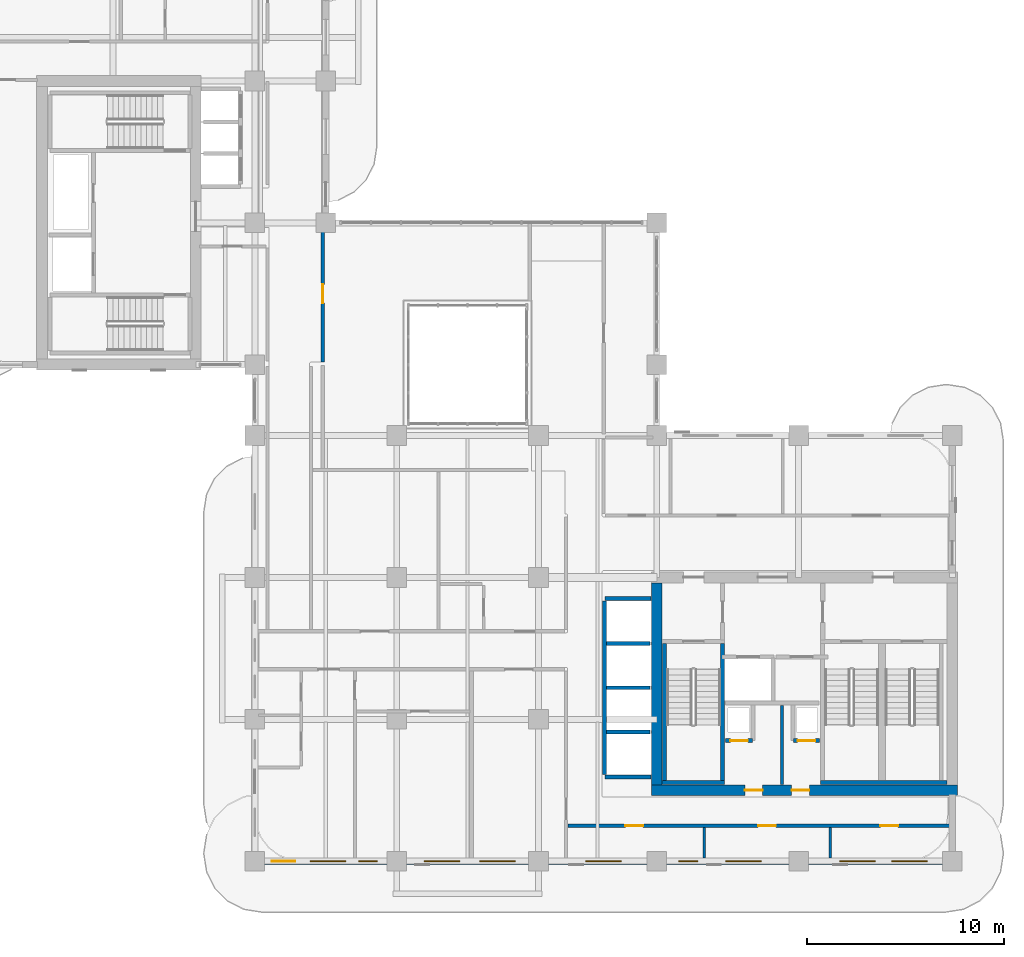
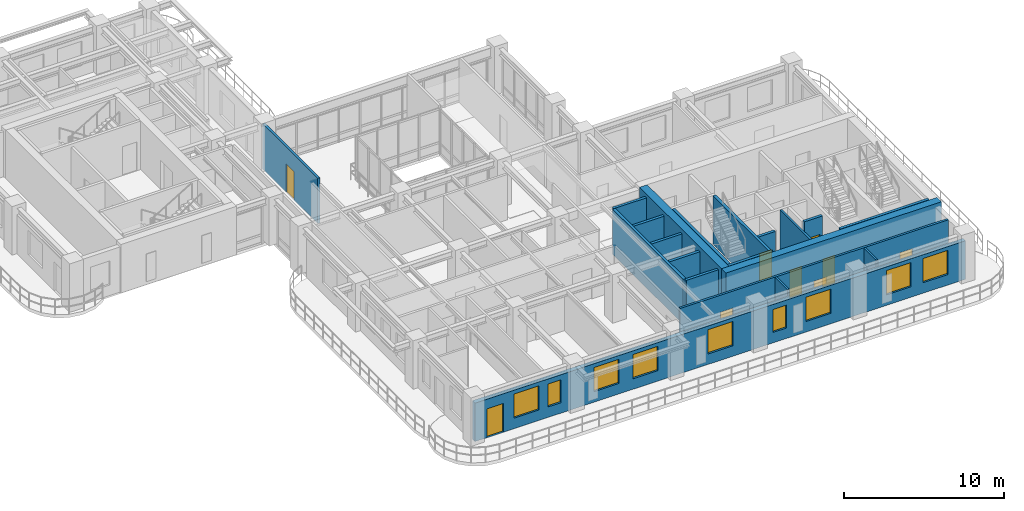
# One storey, part 12 of 20: 20 walls, 9 doors, 9 windows, 18 openings.
"""IFC4 building model written with IfcOpenShell, lengths in metres."""

from ifc_helpers import new_model, si_unit, derived_unit, direction, frame, frame_2d, origin, place, context, subcontext, project, spatial, rectangle, extrude, source, transform, mapped, material, layer, layer_set, type_object, type_shapes, element, fill, save


model = new_model("IFC4")

# Units and contexts
model_context = context("Model", 3, precision=1e-05, world=origin(), true_north=direction((0.0, 1.0)))
body_context = subcontext(model_context, "Body", "Model", "MODEL_VIEW")
ifc_project = project(units=[si_unit("LENGTHUNIT", "METRE"), si_unit("AREAUNIT", "SQUARE_METRE"), si_unit("VOLUMEUNIT", "CUBIC_METRE"), si_unit("PLANEANGLEUNIT", "RADIAN"), si_unit("MASSUNIT", "GRAM", prefix="KILO"), si_unit("THERMODYNAMICTEMPERATUREUNIT", "KELVIN"), si_unit("POWERUNIT", "WATT"), derived_unit("THERMALTRANSMITTANCEUNIT", [(si_unit("POWERUNIT", "WATT"), 1), (si_unit("AREAUNIT", "SQUARE_METRE"), -1), (si_unit("THERMODYNAMICTEMPERATUREUNIT", "KELVIN"), -1)])], contexts=[model_context])

# Site, building, storey
site_placement = place(None, origin())
site = spatial("IfcSite", under=ifc_project, at=site_placement, CompositionType="ELEMENT")
building_placement = place(site_placement, origin())
building = spatial("IfcBuilding", under=site, at=building_placement, Name="Zahravan Archway Hotel and Residences", CompositionType="ELEMENT")
storey_placement = place(building_placement, frame((0.0, 0.0, 115.5)))
storey = spatial("IfcBuildingStorey", under=building, at=storey_placement, Name="L28", CompositionType="ELEMENT", Elevation=115.5)

# Wall, openings, doors
ifc_material_1 = material(Name="Concrete C70/85", Category="concrete")
ifc_layer_1 = layer(ifc_material_1, 0.550048828125, Name="Concrete C70/85", Category="concrete")
ifc_layer_set_1 = layer_set([ifc_layer_1], Name="Concrete C70/85")
wall_type_1 = type_object("IfcWallType", Name="CW-CORE-550", PredefinedType="SHEAR", material=ifc_layer_set_1)
wall_1_placement = place(storey_placement, frame((34.52490234375, 3.60009765625, 0.0), z_axis=(0.0, 0.0, 1.0), x_axis=(1.0, 0.0, 0.0)))
wall_1 = element("IfcWall", 1, at=wall_1_placement, inside=storey, type_object=wall_type_1, Name="L28 Core A Shear S Wall 550 mm", PredefinedType="SHEAR", context=body_context, shape_type="SweptSolid", body=[
    extrude(rectangle(XDim=15.550048828125, YDim=0.550048828125, at=frame_2d((7.77490234375, 0.0))), origin(), (0.0, 0.0, 1.0), 3.699951171875),
])
opening_1_placement = place(wall_1_placement, frame((4.7451171875, 0.0, 0.0)))
opening_1 = element("IfcOpeningElement", 2, at=opening_1_placement, cuts=wall_1, Name="Opening FD-R1", PredefinedType="OPENING", context=body_context, shape_type="SweptSolid", body=[
    extrude(rectangle(XDim=0.89990234375, YDim=2.10009765625, at=frame_2d((0.449951171875, 1.050048828125))), frame((0.0, 0.28515625, 0.0), z_axis=(0.0, -1.0, 0.0), x_axis=(1.0, 0.0, 0.0)), (0.0, 0.0, 1.0), 0.570068359375),
])
opening_2_placement = place(wall_1_placement, frame((7.125, 0.0, 0.0)))
opening_2 = element("IfcOpeningElement", 3, at=opening_2_placement, cuts=wall_1, Name="Opening FD-R1", PredefinedType="OPENING", context=body_context, shape_type="SweptSolid", body=[
    extrude(rectangle(XDim=0.89990234375, YDim=2.10009765625, at=frame_2d((0.449951171875, 1.050048828125))), frame((0.0, 0.28515625, 0.0), z_axis=(0.0, -1.0, 0.0), x_axis=(1.0, 0.0, 0.0)), (0.0, 0.0, 1.0), 0.570068359375),
])
ifc_material_2 = material(Name="Fire-Rated Painted Steel", Category="steel")
door_type_1 = type_object("IfcDoorType", Name="FD-RISER-900", OperationType="NOTDEFINED", PredefinedType="DOOR", material=ifc_material_2)
shared_shape_1 = source(origin(), body_context, "Body", "SweptSolid", [
    extrude(rectangle(XDim=0.89990234375, YDim=2.10009765625, at=frame_2d((0.449951171875, 1.050048828125))), frame((0.0, 0.02490234375, 0.0), z_axis=(0.0, -1.0, 0.0), x_axis=(1.0, 0.0, 0.0)), (0.0, 0.0, 1.0), 0.050048828125),
])
type_shapes(door_type_1, [shared_shape_1])
door_1_placement = place(opening_1_placement, origin())
door_1 = element("IfcDoor", 4, at=door_1_placement, inside=storey, type_object=door_type_1, Name="L28 Fan Room Door", OperationType="SINGLE_SWING_RIGHT", OverallHeight=2.10009765625, OverallWidth=0.89990234375, PredefinedType="DOOR", context=body_context, shape_type="MappedRepresentation", body=[
    mapped(shared_shape_1, transform((0.0, 0.0, 0.0), scale=1.0)),
])
fill(opening_1, door_1)
door_2_placement = place(opening_2_placement, origin())
door_2 = element("IfcDoor", 5, at=door_2_placement, inside=storey, type_object=door_type_1, Name="L28 Sub-Meter Cupboard Door", OperationType="SINGLE_SWING_LEFT", OverallHeight=2.10009765625, OverallWidth=0.89990234375, PredefinedType="DOOR", context=body_context, shape_type="MappedRepresentation", body=[
    mapped(shared_shape_1, transform((0.0, 0.0, 0.0), scale=1.0)),
])
fill(opening_2, door_2)

# Wall
wall_2_placement = place(storey_placement, frame((34.800048828125, 3.875, 0.0), z_axis=(0.0, 0.0, 1.0), x_axis=(0.0, 1.0, 0.0)))
element("IfcWall", 6, at=wall_2_placement, inside=storey, type_object=wall_type_1, Name="L28 Core A Shear W Wall 550 mm", PredefinedType="SHEAR", context=body_context, shape_type="SweptSolid", body=[
    extrude(rectangle(XDim=10.25, YDim=0.550048828125, at=frame_2d((5.125, 0.0))), origin(), (0.0, 0.0, 1.0), 3.699951171875),
])

# Wall, openings, door, windows
ifc_material_3 = material(Name="Agra Buff Sandstone & Insulated Backup", Category="masonry")
ifc_layer_2 = layer(ifc_material_3, 0.320068359375, Name="Agra Buff Sandstone & Insulated Backup", Category="masonry")
ifc_layer_set_2 = layer_set([ifc_layer_2], Name="Agra Buff Sandstone & Insulated Backup")
wall_type_2 = type_object("IfcWallType", Name="EW-SAND-320", PredefinedType="SOLIDWALL", material=ifc_layer_set_2)
wall_3_placement = place(storey_placement, frame((14.39990234375, 0.0, 0.0), z_axis=(0.0, 0.0, 1.0), x_axis=(1.0, 0.0, 0.0)))
wall_3 = element("IfcWall", 7, at=wall_3_placement, inside=storey, type_object=wall_type_2, Name="L28 Exterior Sandstone Wall WA-S", PredefinedType="SOLIDWALL", context=body_context, shape_type="SweptSolid", body=[
    extrude(rectangle(XDim=35.400146484375, YDim=0.320068359375, at=frame_2d((17.7001953125, 0.0))), origin(), (0.0, 0.0, 1.0), 2.93505859375),
])
opening_3_placement = place(wall_3_placement, frame((0.85009765625, 0.0, 0.0)))
opening_3 = element("IfcOpeningElement", 8, at=opening_3_placement, cuts=wall_3, Name="Opening ED-BL1", PredefinedType="OPENING", context=body_context, shape_type="SweptSolid", body=[
    extrude(rectangle(XDim=1.199951171875, YDim=2.199951171875, at=frame_2d((0.60009765625, 1.10009765625))), frame((0.0, 0.169921875, 0.0), z_axis=(0.0, -1.0, 0.0), x_axis=(1.0, 0.0, 0.0)), (0.0, 0.0, 1.0), 0.340087890625),
])
opening_4_placement = place(wall_3_placement, frame((2.81103515625, 0.0, 0.800048828125)))
opening_4 = element("IfcOpeningElement", 9, at=opening_4_placement, cuts=wall_3, Name="Opening W-02", PredefinedType="OPENING", context=body_context, shape_type="SweptSolid", body=[
    extrude(rectangle(XDim=1.800048828125, YDim=1.85009765625, at=frame_2d((0.89990234375, 0.925048828125))), frame((0.0, 0.169921875, 0.0), z_axis=(0.0, -1.0, 0.0), x_axis=(1.0, 0.0, 0.0)), (0.0, 0.0, 1.0), 0.340087890625),
])
opening_5_placement = place(wall_3_placement, frame((5.26904296875, 0.0, 0.800048828125)))
opening_5 = element("IfcOpeningElement", 10, at=opening_5_placement, cuts=wall_3, Name="Opening W-04", PredefinedType="OPENING", context=body_context, shape_type="SweptSolid", body=[
    extrude(rectangle(XDim=0.949951171875, YDim=1.75, at=frame_2d((0.47509765625, 0.875))), frame((0.0, 0.169921875, 0.0), z_axis=(0.0, -1.0, 0.0), x_axis=(1.0, 0.0, 0.0)), (0.0, 0.0, 1.0), 0.340087890625),
])
opening_6_placement = place(wall_3_placement, frame((8.595947265625, 0.0, 0.800048828125)))
opening_6 = element("IfcOpeningElement", 11, at=opening_6_placement, cuts=wall_3, Name="Opening W-02", PredefinedType="OPENING", context=body_context, shape_type="SweptSolid", body=[
    extrude(rectangle(XDim=1.800048828125, YDim=1.85009765625, at=frame_2d((0.89990234375, 0.925048828125))), frame((0.0, 0.169921875, 0.0), z_axis=(0.0, -1.0, 0.0), x_axis=(1.0, 0.0, 0.0)), (0.0, 0.0, 1.0), 0.340087890625),
])
opening_7_placement = place(wall_3_placement, frame((11.404052734375, 0.0, 0.800048828125)))
opening_7 = element("IfcOpeningElement", 12, at=opening_7_placement, cuts=wall_3, Name="Opening W-02", PredefinedType="OPENING", context=body_context, shape_type="SweptSolid", body=[
    extrude(rectangle(XDim=1.800048828125, YDim=1.85009765625, at=frame_2d((0.89990234375, 0.925048828125))), frame((0.0, 0.169921875, 0.0), z_axis=(0.0, -1.0, 0.0), x_axis=(1.0, 0.0, 0.0)), (0.0, 0.0, 1.0), 0.340087890625),
])
opening_8_placement = place(wall_3_placement, frame((16.803955078125, 0.0, 0.800048828125)))
opening_8 = element("IfcOpeningElement", 13, at=opening_8_placement, cuts=wall_3, Name="Opening W-02", PredefinedType="OPENING", context=body_context, shape_type="SweptSolid", body=[
    extrude(rectangle(XDim=1.800048828125, YDim=1.85009765625, at=frame_2d((0.89990234375, 0.925048828125))), frame((0.0, 0.169921875, 0.0), z_axis=(0.0, -1.0, 0.0), x_axis=(1.0, 0.0, 0.0)), (0.0, 0.0, 1.0), 0.340087890625),
])
opening_9_placement = place(wall_3_placement, frame((21.52099609375, 0.0, 0.800048828125)))
opening_9 = element("IfcOpeningElement", 14, at=opening_9_placement, cuts=wall_3, Name="Opening W-04", PredefinedType="OPENING", context=body_context, shape_type="SweptSolid", body=[
    extrude(rectangle(XDim=0.949951171875, YDim=1.75, at=frame_2d((0.47509765625, 0.875))), frame((0.0, 0.169921875, 0.0), z_axis=(0.0, -1.0, 0.0), x_axis=(1.0, 0.0, 0.0)), (0.0, 0.0, 1.0), 0.340087890625),
])
opening_10_placement = place(wall_3_placement, frame((23.904052734375, 0.0, 0.800048828125)))
opening_10 = element("IfcOpeningElement", 15, at=opening_10_placement, cuts=wall_3, Name="Opening W-02", PredefinedType="OPENING", context=body_context, shape_type="SweptSolid", body=[
    extrude(rectangle(XDim=1.800048828125, YDim=1.85009765625, at=frame_2d((0.89990234375, 0.925048828125))), frame((0.0, 0.169921875, 0.0), z_axis=(0.0, -1.0, 0.0), x_axis=(1.0, 0.0, 0.0)), (0.0, 0.0, 1.0), 0.340087890625),
])
opening_11_placement = place(wall_3_placement, frame((29.680908203125, 0.0, 0.800048828125)))
opening_11 = element("IfcOpeningElement", 16, at=opening_11_placement, cuts=wall_3, Name="Opening W-02", PredefinedType="OPENING", context=body_context, shape_type="SweptSolid", body=[
    extrude(rectangle(XDim=1.800048828125, YDim=1.85009765625, at=frame_2d((0.89990234375, 0.925048828125))), frame((0.0, 0.169921875, 0.0), z_axis=(0.0, -1.0, 0.0), x_axis=(1.0, 0.0, 0.0)), (0.0, 0.0, 1.0), 0.340087890625),
])
opening_12_placement = place(wall_3_placement, frame((32.326904296875, 0.0, 0.800048828125)))
opening_12 = element("IfcOpeningElement", 17, at=opening_12_placement, cuts=wall_3, Name="Opening W-02", PredefinedType="OPENING", context=body_context, shape_type="SweptSolid", body=[
    extrude(rectangle(XDim=1.800048828125, YDim=1.85009765625, at=frame_2d((0.89990234375, 0.925048828125))), frame((0.0, 0.169921875, 0.0), z_axis=(0.0, -1.0, 0.0), x_axis=(1.0, 0.0, 0.0)), (0.0, 0.0, 1.0), 0.340087890625),
])
ifc_material_4 = material(Name="Bronze-Anodized Glazed Aluminium", Category="aluminium")
door_type_2 = type_object("IfcDoorType", Name="ED-BALC-1200", OperationType="SLIDING_TO_LEFT", PredefinedType="DOOR", material=ifc_material_4)
shared_shape_2 = source(origin(), body_context, "Body", "SweptSolid", [
    extrude(rectangle(XDim=1.199951171875, YDim=2.199951171875, at=frame_2d((0.60009765625, 1.10009765625))), frame((0.0, 0.02490234375, 0.0), z_axis=(0.0, -1.0, 0.0), x_axis=(1.0, 0.0, 0.0)), (0.0, 0.0, 1.0), 0.050048828125),
])
type_shapes(door_type_2, [shared_shape_2])
door_3_placement = place(opening_3_placement, origin())
door_3 = element("IfcDoor", 18, at=door_3_placement, inside=storey, type_object=door_type_2, Name="L28 Outdoor Access Sliding Door (SLB-BAL-L28-SA)", OperationType="SLIDING_TO_LEFT", OverallHeight=2.199951171875, OverallWidth=1.199951171875, PredefinedType="DOOR", context=body_context, shape_type="MappedRepresentation", body=[
    mapped(shared_shape_2, transform((0.0, 0.0, 0.0), scale=1.0)),
])
fill(opening_3, door_3)
ifc_material_5 = material(Name="Bronze-Anodized Thermal-Break Aluminium & Low-E Glass", Category="aluminium")
window_type_1 = type_object("IfcWindowType", Name="WIN-NAR-950", PartitioningType="SINGLE_PANEL", PredefinedType="WINDOW", material=ifc_material_5)
shared_shape_3 = source(origin(), body_context, "Body", "SweptSolid", [
    extrude(rectangle(XDim=0.949951171875, YDim=1.75, at=frame_2d((0.47509765625, 0.875))), frame((0.0, 0.030029296875, 0.0), z_axis=(0.0, -1.0, 0.0), x_axis=(1.0, 0.0, 0.0)), (0.0, 0.0, 1.0), 0.06005859375),
])
type_shapes(window_type_1, [shared_shape_3])
window_1_placement = place(opening_5_placement, origin())
window_1 = element("IfcWindow", 19, at=window_1_placement, inside=storey, type_object=window_type_1, Name="L28 Loggia Window 02", OverallHeight=1.75, OverallWidth=0.949951171875, PartitioningType="SINGLE_PANEL", PredefinedType="WINDOW", context=body_context, shape_type="MappedRepresentation", body=[
    mapped(shared_shape_3, transform((0.0, 0.0, 0.0), scale=1.0)),
])
fill(opening_5, window_1)
window_2_placement = place(opening_9_placement, origin())
window_2 = element("IfcWindow", 20, at=window_2_placement, inside=storey, type_object=window_type_1, Name="L28 Loggia Window 06", OverallHeight=1.75, OverallWidth=0.949951171875, PartitioningType="SINGLE_PANEL", PredefinedType="WINDOW", context=body_context, shape_type="MappedRepresentation", body=[
    mapped(shared_shape_3, transform((0.0, 0.0, 0.0), scale=1.0)),
])
fill(opening_9, window_2)
window_type_2 = type_object("IfcWindowType", Name="WIN-TWR-1800", PartitioningType="DOUBLE_PANEL_VERTICAL", PredefinedType="WINDOW", material=ifc_material_5)
shared_shape_4 = source(origin(), body_context, "Body", "SweptSolid", [
    extrude(rectangle(XDim=1.800048828125, YDim=1.85009765625, at=frame_2d((0.89990234375, 0.925048828125))), frame((0.0, 0.030029296875, 0.0), z_axis=(0.0, -1.0, 0.0), x_axis=(1.0, 0.0, 0.0)), (0.0, 0.0, 1.0), 0.06005859375),
])
type_shapes(window_type_2, [shared_shape_4])
window_3_placement = place(opening_4_placement, origin())
window_3 = element("IfcWindow", 21, at=window_3_placement, inside=storey, type_object=window_type_2, Name="L28 Loggia Window 01", OverallHeight=1.85009765625, OverallWidth=1.800048828125, PartitioningType="DOUBLE_PANEL_VERTICAL", PredefinedType="WINDOW", context=body_context, shape_type="MappedRepresentation", body=[
    mapped(shared_shape_4, transform((0.0, 0.0, 0.0), scale=1.0)),
])
fill(opening_4, window_3)
window_4_placement = place(opening_6_placement, origin())
window_4 = element("IfcWindow", 22, at=window_4_placement, inside=storey, type_object=window_type_2, Name="L28 Loggia Window 03", OverallHeight=1.85009765625, OverallWidth=1.800048828125, PartitioningType="DOUBLE_PANEL_VERTICAL", PredefinedType="WINDOW", context=body_context, shape_type="MappedRepresentation", body=[
    mapped(shared_shape_4, transform((0.0, 0.0, 0.0), scale=1.0)),
])
fill(opening_6, window_4)
window_5_placement = place(opening_7_placement, origin())
window_5 = element("IfcWindow", 23, at=window_5_placement, inside=storey, type_object=window_type_2, Name="L28 Loggia Window 04", OverallHeight=1.85009765625, OverallWidth=1.800048828125, PartitioningType="DOUBLE_PANEL_VERTICAL", PredefinedType="WINDOW", context=body_context, shape_type="MappedRepresentation", body=[
    mapped(shared_shape_4, transform((0.0, 0.0, 0.0), scale=1.0)),
])
fill(opening_7, window_5)
window_6_placement = place(opening_8_placement, origin())
window_6 = element("IfcWindow", 24, at=window_6_placement, inside=storey, type_object=window_type_2, Name="L28 Loggia Window 05", OverallHeight=1.85009765625, OverallWidth=1.800048828125, PartitioningType="DOUBLE_PANEL_VERTICAL", PredefinedType="WINDOW", context=body_context, shape_type="MappedRepresentation", body=[
    mapped(shared_shape_4, transform((0.0, 0.0, 0.0), scale=1.0)),
])
fill(opening_8, window_6)
window_7_placement = place(opening_10_placement, origin())
window_7 = element("IfcWindow", 25, at=window_7_placement, inside=storey, type_object=window_type_2, Name="L28 Loggia Window 07", OverallHeight=1.85009765625, OverallWidth=1.800048828125, PartitioningType="DOUBLE_PANEL_VERTICAL", PredefinedType="WINDOW", context=body_context, shape_type="MappedRepresentation", body=[
    mapped(shared_shape_4, transform((0.0, 0.0, 0.0), scale=1.0)),
])
fill(opening_10, window_7)
window_8_placement = place(opening_11_placement, origin())
window_8 = element("IfcWindow", 26, at=window_8_placement, inside=storey, type_object=window_type_2, Name="L28 Loggia Window 08", OverallHeight=1.85009765625, OverallWidth=1.800048828125, PartitioningType="DOUBLE_PANEL_VERTICAL", PredefinedType="WINDOW", context=body_context, shape_type="MappedRepresentation", body=[
    mapped(shared_shape_4, transform((0.0, 0.0, 0.0), scale=1.0)),
])
fill(opening_11, window_8)
window_9_placement = place(opening_12_placement, origin())
window_9 = element("IfcWindow", 27, at=window_9_placement, inside=storey, type_object=window_type_2, Name="L28 Loggia Window 09", OverallHeight=1.85009765625, OverallWidth=1.800048828125, PartitioningType="DOUBLE_PANEL_VERTICAL", PredefinedType="WINDOW", context=body_context, shape_type="MappedRepresentation", body=[
    mapped(shared_shape_4, transform((0.0, 0.0, 0.0), scale=1.0)),
])
fill(opening_12, window_9)

# Wall, openings, doors
ifc_material_6 = material(Name="Fire-Rated Gypsum & Concrete Block", Category="concrete")
ifc_layer_3 = layer(ifc_material_6, 0.159912109375, Name="Fire-Rated Gypsum & Concrete Block", Category="concrete")
ifc_layer_set_3 = layer_set([ifc_layer_3], Name="Fire-Rated Gypsum & Concrete Block")
wall_type_3 = type_object("IfcWallType", Name="PW-CORR-160", PredefinedType="PARTITIONING", material=ifc_layer_set_3)
wall_4_placement = place(storey_placement, frame((30.2900390625, 1.800048828125, 0.0), z_axis=(0.0, 0.0, 1.0), x_axis=(1.0, 0.0, 0.0)))
wall_4 = element("IfcWall", 28, at=wall_4_placement, inside=storey, type_object=wall_type_3, Name="L28 Partition WA-SRS", PredefinedType="PARTITIONING", context=body_context, shape_type="SweptSolid", body=[
    extrude(rectangle(XDim=19.369873046875, YDim=0.159912109375, at=frame_2d((9.68505859375, 0.0))), origin(), (0.0, 0.0, 1.0), 3.449951171875),
])
opening_13_placement = place(wall_4_placement, frame((2.916259765625, 0.0, 0.0)))
opening_13 = element("IfcOpeningElement", 29, at=opening_13_placement, cuts=wall_4, Name="Opening D-I2", PredefinedType="OPENING", context=body_context, shape_type="SweptSolid", body=[
    extrude(rectangle(XDim=0.89990234375, YDim=2.14990234375, at=frame_2d((0.449951171875, 1.074951171875))), frame((0.0, 0.08984375, 0.0), z_axis=(0.0, -1.0, 0.0), x_axis=(1.0, 0.0, 0.0)), (0.0, 0.0, 1.0), 0.179931640625),
])
opening_14_placement = place(wall_4_placement, frame((9.659912109375, 0.0, 0.0)))
opening_14 = element("IfcOpeningElement", 30, at=opening_14_placement, cuts=wall_4, Name="Opening D-I2", PredefinedType="OPENING", context=body_context, shape_type="SweptSolid", body=[
    extrude(rectangle(XDim=0.89990234375, YDim=2.14990234375, at=frame_2d((0.449951171875, 1.074951171875))), frame((0.0, 0.08984375, 0.0), z_axis=(0.0, -1.0, 0.0), x_axis=(1.0, 0.0, 0.0)), (0.0, 0.0, 1.0), 0.179931640625),
])
opening_15_placement = place(wall_4_placement, frame((15.860107421875, 0.0, 0.0)))
opening_15 = element("IfcOpeningElement", 31, at=opening_15_placement, cuts=wall_4, Name="Opening D-I2", PredefinedType="OPENING", context=body_context, shape_type="SweptSolid", body=[
    extrude(rectangle(XDim=0.89990234375, YDim=2.14990234375, at=frame_2d((0.449951171875, 1.074951171875))), frame((0.0, 0.08984375, 0.0), z_axis=(0.0, -1.0, 0.0), x_axis=(1.0, 0.0, 0.0)), (0.0, 0.0, 1.0), 0.179931640625),
])
ifc_material_7 = material(Name="Hardwood Veneer Timber", Category="wood")
door_type_3 = type_object("IfcDoorType", Name="ID-INT-900", OperationType="NOTDEFINED", PredefinedType="DOOR", material=ifc_material_7)
shared_shape_5 = source(origin(), body_context, "Body", "SweptSolid", [
    extrude(rectangle(XDim=0.89990234375, YDim=2.14990234375, at=frame_2d((0.449951171875, 1.074951171875))), frame((0.0, 0.02490234375, 0.0), z_axis=(0.0, -1.0, 0.0), x_axis=(1.0, 0.0, 0.0)), (0.0, 0.0, 1.0), 0.050048828125),
])
type_shapes(door_type_3, [shared_shape_5])
door_4_placement = place(opening_13_placement, origin())
door_4 = element("IfcDoor", 32, at=door_4_placement, inside=storey, type_object=door_type_3, Name="L28 South Office Door", OperationType="SINGLE_SWING_RIGHT", OverallHeight=2.14990234375, OverallWidth=0.89990234375, PredefinedType="DOOR", context=body_context, shape_type="MappedRepresentation", body=[
    mapped(shared_shape_5, transform((0.0, 0.0, 0.0), scale=1.0)),
])
fill(opening_13, door_4)
door_5_placement = place(opening_14_placement, origin())
door_5 = element("IfcDoor", 33, at=door_5_placement, inside=storey, type_object=door_type_3, Name="L28 South Meeting Door", OperationType="SINGLE_SWING_LEFT", OverallHeight=2.14990234375, OverallWidth=0.89990234375, PredefinedType="DOOR", context=body_context, shape_type="MappedRepresentation", body=[
    mapped(shared_shape_5, transform((0.0, 0.0, 0.0), scale=1.0)),
])
fill(opening_14, door_5)
door_6_placement = place(opening_15_placement, origin())
door_6 = element("IfcDoor", 34, at=door_6_placement, inside=storey, type_object=door_type_3, Name="L28 South Prayer Alcove Door", OperationType="SINGLE_SWING_RIGHT", OverallHeight=2.14990234375, OverallWidth=0.89990234375, PredefinedType="DOOR", context=body_context, shape_type="MappedRepresentation", body=[
    mapped(shared_shape_5, transform((0.0, 0.0, 0.0), scale=1.0)),
])
fill(opening_15, door_6)

# Walls
ifc_material_8 = material(Name="Acoustic Stud Partition")
ifc_layer_4 = layer(ifc_material_8, 0.125, Name="Acoustic Stud Partition")
ifc_layer_set_4 = layer_set([ifc_layer_4], Name="Acoustic Stud Partition")
wall_type_4 = type_object("IfcWallType", Name="PW-INT-125", PredefinedType="PARTITIONING", material=ifc_layer_set_4)
for number, where, z_axis, x_axis, name in (
    (35, (37.199951171875, 0.16796875, 0.0), (0.0, 0.0, 1.0), (0.0, 1.0, 0.0), "L28 Partition S-DIV2A"),
    (36, (43.60009765625, 0.16796875, 0.0), (0.0, 0.0, 1.0), (0.0, 1.0, 0.0), "L28 Partition S-DIV2B"),
):
    element("IfcWall", number, at=place(storey_placement, frame(where, z_axis=z_axis, x_axis=x_axis)), inside=storey, type_object=wall_type_4, Name=name, PredefinedType="PARTITIONING", context=body_context, shape_type="SweptSolid", body=[
        extrude(rectangle(XDim=1.5419921875, YDim=0.125, at=frame_2d((0.77099609375, 0.0))), origin(), (0.0, 0.0, 1.0), 3.449951171875),
    ])

# Wall, opening, door
ifc_layer_5 = layer(ifc_material_6, 0.199951171875, Name="Fire-Rated Gypsum & Concrete Block", Category="concrete")
ifc_layer_set_5 = layer_set([ifc_layer_5], Name="Fire-Rated Gypsum & Concrete Block")
wall_type_5 = type_object("IfcWallType", Name="PW-SHAFT-200", PredefinedType="PARTITIONING", material=ifc_layer_set_5)
wall_5_placement = place(storey_placement, frame((38.2900390625, 6.1201171875, 0.0), z_axis=(0.0, 0.0, 1.0), x_axis=(1.0, 0.0, 0.0)))
wall_5 = element("IfcWall", 37, at=wall_5_placement, inside=storey, type_object=wall_type_5, Name="L28 Partition CA-SMKS", PredefinedType="PARTITIONING", context=body_context, shape_type="SweptSolid", body=[
    extrude(rectangle(XDim=1.3798828125, YDim=0.199951171875, at=frame_2d((0.68994140625, 0.0))), origin(), (0.0, 0.0, 1.0), 3.449951171875),
])
opening_16_placement = place(wall_5_placement, frame((0.239990234375, 0.0, 0.0)))
opening_16 = element("IfcOpeningElement", 38, at=opening_16_placement, cuts=wall_5, Name="Opening FD-R1", PredefinedType="OPENING", context=body_context, shape_type="SweptSolid", body=[
    extrude(rectangle(XDim=0.89990234375, YDim=2.10009765625, at=frame_2d((0.449951171875, 1.050048828125))), frame((0.0, 0.10986328125, 0.0), z_axis=(0.0, -1.0, 0.0), x_axis=(1.0, 0.0, 0.0)), (0.0, 0.0, 1.0), 0.219970703125),
])
door_7_placement = place(opening_16_placement, origin())
door_7 = element("IfcDoor", 39, at=door_7_placement, inside=storey, type_object=door_type_1, Name="L28 Smoke Riser Access Door", OperationType="SINGLE_SWING_RIGHT", OverallHeight=2.10009765625, OverallWidth=0.89990234375, PredefinedType="DOOR", context=body_context, shape_type="MappedRepresentation", body=[
    mapped(shared_shape_1, transform((0.0, 0.0, 0.0), scale=1.0)),
])
fill(opening_16, door_7)

wall_6_placement = place(storey_placement, frame((41.72998046875, 6.1201171875, 0.0), z_axis=(0.0, 0.0, 1.0), x_axis=(1.0, 0.0, 0.0)))
wall_6 = element("IfcWall", 40, at=wall_6_placement, inside=storey, type_object=wall_type_5, Name="L28 Partition CA-MEPS", PredefinedType="PARTITIONING", context=body_context, shape_type="SweptSolid", body=[
    extrude(rectangle(XDim=1.320068359375, YDim=0.199951171875, at=frame_2d((0.66015625, 0.0))), origin(), (0.0, 0.0, 1.0), 3.449951171875),
])
opening_17_placement = place(wall_6_placement, frame((0.219970703125, 0.0, 0.0)))
opening_17 = element("IfcOpeningElement", 41, at=opening_17_placement, cuts=wall_6, Name="Opening FD-R1", PredefinedType="OPENING", context=body_context, shape_type="SweptSolid", body=[
    extrude(rectangle(XDim=0.89990234375, YDim=2.10009765625, at=frame_2d((0.449951171875, 1.050048828125))), frame((0.0, 0.10986328125, 0.0), z_axis=(0.0, -1.0, 0.0), x_axis=(1.0, 0.0, 0.0)), (0.0, 0.0, 1.0), 0.219970703125),
])
door_8_placement = place(opening_17_placement, origin())
door_8 = element("IfcDoor", 42, at=door_8_placement, inside=storey, type_object=door_type_1, Name="L28 MEP Riser Access Door", OperationType="SINGLE_SWING_LEFT", OverallHeight=2.10009765625, OverallWidth=0.89990234375, PredefinedType="DOOR", context=body_context, shape_type="MappedRepresentation", body=[
    mapped(shared_shape_1, transform((0.0, 0.0, 0.0), scale=1.0)),
])
fill(opening_17, door_8)

# Walls
for number, where, z_axis, x_axis, name in (
    (43, (32.159912109375, 4.280029296875, 0.0), (0.0, 0.0, 1.0), (1.0, 0.0, 0.0), "L28 Partition B3-S"),
    (44, (32.159912109375, 13.320068359375, 0.0), (0.0, 0.0, 1.0), (1.0, 0.0, 0.0), "L28 Partition B3-N"),
):
    element("IfcWall", number, at=place(storey_placement, frame(where, z_axis=z_axis, x_axis=x_axis)), inside=storey, type_object=wall_type_5, Name=name, PredefinedType="PARTITIONING", context=body_context, shape_type="SweptSolid", body=[
        extrude(rectangle(XDim=2.335205078125, YDim=0.199951171875, at=frame_2d((1.16748046875, 0.0))), origin(), (0.0, 0.0, 1.0), 3.449951171875),
    ])
wall_7_placement = place(storey_placement, frame((32.14990234375, 4.389892578125, 0.0), z_axis=(0.0, 0.0, 1.0), x_axis=(0.0, 1.0, 0.0)))
element("IfcWall", 45, at=wall_7_placement, inside=storey, type_object=wall_type_5, Name="L28 Partition B3-W", PredefinedType="PARTITIONING", context=body_context, shape_type="SweptSolid", body=[
    extrude(rectangle(XDim=8.820068359375, YDim=0.199951171875, at=frame_2d((4.41015625, 0.0))), origin(), (0.0, 0.0, 1.0), 3.449951171875),
])
for number, where, z_axis, x_axis, name in (
    (46, (32.260009765625, 6.56005859375, 0.0), (0.0, 0.0, 1.0), (1.0, 0.0, 0.0), "L28 Partition B3-D"),
    (47, (32.260009765625, 8.800048828125, 0.0), (0.0, 0.0, 1.0), (1.0, 0.0, 0.0), "L28 Partition B3-D"),
    (48, (32.260009765625, 11.0400390625, 0.0), (0.0, 0.0, 1.0), (1.0, 0.0, 0.0), "L28 Partition B3-D"),
):
    element("IfcWall", number, at=place(storey_placement, frame(where, z_axis=z_axis, x_axis=x_axis)), inside=storey, type_object=wall_type_5, Name=name, PredefinedType="PARTITIONING", context=body_context, shape_type="SweptSolid", body=[
        extrude(rectangle(XDim=2.205078125, YDim=0.199951171875, at=frame_2d((1.1025390625, 0.0))), origin(), (0.0, 0.0, 1.0), 3.449951171875),
    ])

# Wall, opening, door
ifc_layer_6 = layer(ifc_material_8, 0.169921875, Name="Acoustic Stud Partition")
ifc_layer_set_6 = layer_set([ifc_layer_6], Name="Acoustic Stud Partition")
wall_type_6 = type_object("IfcWallType", Name="PW-UNIT-170", PredefinedType="PARTITIONING", material=ifc_layer_set_6)
wall_8_placement = place(storey_placement, frame((17.85009765625, 25.340087890625, 0.0), z_axis=(0.0, 0.0, 1.0), x_axis=(0.0, 1.0, 0.0)))
wall_8 = element("IfcWall", 49, at=wall_8_placement, inside=storey, type_object=wall_type_6, Name="L28 Partition ATR-W2", PredefinedType="PARTITIONING", context=body_context, shape_type="SweptSolid", body=[
    extrude(rectangle(XDim=6.869873046875, YDim=0.169921875, at=frame_2d((3.43505859375, 0.0))), origin(), (0.0, 0.0, 1.0), 3.449951171875),
])
opening_18_placement = place(wall_8_placement, frame((2.985107421875, 0.0, 0.0)))
opening_18 = element("IfcOpeningElement", 50, at=opening_18_placement, cuts=wall_8, Name="Opening D-I1", PredefinedType="OPENING", context=body_context, shape_type="SweptSolid", body=[
    extrude(rectangle(XDim=0.949951171875, YDim=2.14990234375, at=frame_2d((0.47509765625, 1.074951171875))), frame((0.0, 0.094970703125, 0.0), z_axis=(0.0, -1.0, 0.0), x_axis=(1.0, 0.0, 0.0)), (0.0, 0.0, 1.0), 0.18994140625),
])
door_type_4 = type_object("IfcDoorType", Name="ID-INT-950", OperationType="NOTDEFINED", PredefinedType="DOOR", material=ifc_material_7)
shared_shape_6 = source(origin(), body_context, "Body", "SweptSolid", [
    extrude(rectangle(XDim=0.949951171875, YDim=2.14990234375, at=frame_2d((0.47509765625, 1.074951171875))), frame((0.0, 0.02490234375, 0.0), z_axis=(0.0, -1.0, 0.0), x_axis=(1.0, 0.0, 0.0)), (0.0, 0.0, 1.0), 0.050048828125),
])
type_shapes(door_type_4, [shared_shape_6])
door_9_placement = place(opening_18_placement, origin())
door_9 = element("IfcDoor", 51, at=door_9_placement, inside=storey, type_object=door_type_4, Name="L28 Atrium North-West Salon Door", OperationType="SINGLE_SWING_LEFT", OverallHeight=2.14990234375, OverallWidth=0.949951171875, PredefinedType="DOOR", context=body_context, shape_type="MappedRepresentation", body=[
    mapped(shared_shape_6, transform((0.0, 0.0, 0.0), scale=1.0)),
])
fill(opening_18, door_9)

# Walls
ifc_material_9 = material(Name="Moisture-Resistant Blockwork", Category="masonry")
ifc_layer_7 = layer(ifc_material_9, 0.139892578125, Name="Moisture-Resistant Blockwork", Category="masonry")
ifc_layer_set_7 = layer_set([ifc_layer_7], Name="Moisture-Resistant Blockwork")
wall_type_7 = type_object("IfcWallType", Name="PW-WET-140", PredefinedType="PARTITIONING", material=ifc_layer_set_7)
wall_9_placement = place(storey_placement, frame((41.14990234375, 3.89501953125, 0.0), z_axis=(0.0, 0.0, 1.0), x_axis=(0.0, 1.0, 0.0)))
element("IfcWall", 52, at=wall_9_placement, inside=storey, type_object=wall_type_7, Name="L28 Partition CA-CV2V", PredefinedType="PARTITIONING", context=body_context, shape_type="SweptSolid", body=[
    extrude(rectangle(XDim=4.014892578125, YDim=0.139892578125, at=frame_2d((2.00732421875, 0.0))), origin(), (0.0, 0.0, 1.0), 3.449951171875),
])
ifc_material_10 = material(Name="Concrete C50/60", Category="concrete")
ifc_layer_8 = layer(ifc_material_10, 0.199951171875, Name="Concrete C50/60", Category="concrete")
ifc_layer_set_8 = layer_set([ifc_layer_8], Name="Concrete C50/60")
wall_type_8 = type_object("IfcWallType", Name="SW-STAIR-200", PredefinedType="SHEAR", material=ifc_layer_set_8)
wall_10_placement = place(storey_placement, frame((35.074951171875, 4.0, 0.0), z_axis=(0.0, 0.0, 1.0), x_axis=(1.0, 0.0, 0.0)))
element("IfcWall", 53, at=wall_10_placement, inside=storey, type_object=wall_type_8, Name="L28 Stairwell RC Wall CA-SA1S", PredefinedType="SHEAR", context=body_context, shape_type="SweptSolid", body=[
    extrude(rectangle(XDim=3.1650390625, YDim=0.199951171875, at=frame_2d((1.58251953125, 0.0))), origin(), (0.0, 0.0, 1.0), 3.699951171875),
])
for number, where, z_axis, x_axis, name in (
    (54, (35.199951171875, 4.10009765625, 0.0), (0.0, 0.0, 1.0), (0.0, 1.0, 0.0), "L28 Stairwell RC Wall CA-SA1W"),
    (55, (38.139892578125, 4.10009765625, 0.0), (0.0, 0.0, 1.0), (0.0, 1.0, 0.0), "L28 Stairwell RC Wall CA-SA1E"),
):
    element("IfcWall", number, at=place(storey_placement, frame(where, z_axis=z_axis, x_axis=x_axis)), inside=storey, type_object=wall_type_8, Name=name, PredefinedType="SHEAR", context=body_context, shape_type="SweptSolid", body=[
        extrude(rectangle(XDim=6.949951171875, YDim=0.199951171875, at=frame_2d((3.47509765625, 0.0))), origin(), (0.0, 0.0, 1.0), 3.699951171875),
    ])
wall_11_placement = place(storey_placement, frame((43.1201171875, 4.0, 0.0), z_axis=(0.0, 0.0, 1.0), x_axis=(1.0, 0.0, 0.0)))
element("IfcWall", 56, at=wall_11_placement, inside=storey, type_object=wall_type_8, Name="L28 Stairwell RC Wall CA-SA23S", PredefinedType="SHEAR", context=body_context, shape_type="SweptSolid", body=[
    extrude(rectangle(XDim=6.40478515625, YDim=0.199951171875, at=frame_2d((3.202392578125, 0.0))), origin(), (0.0, 0.0, 1.0), 3.699951171875),
])

save(model, "model.ifc")
